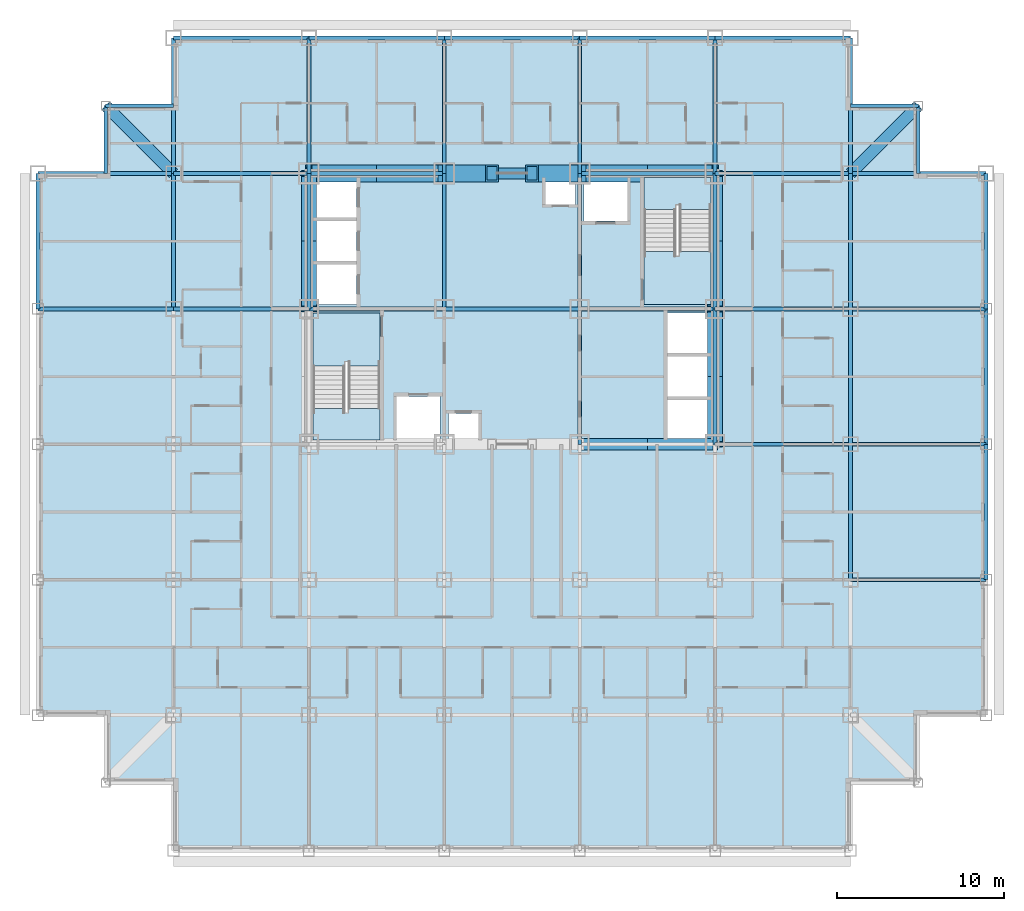
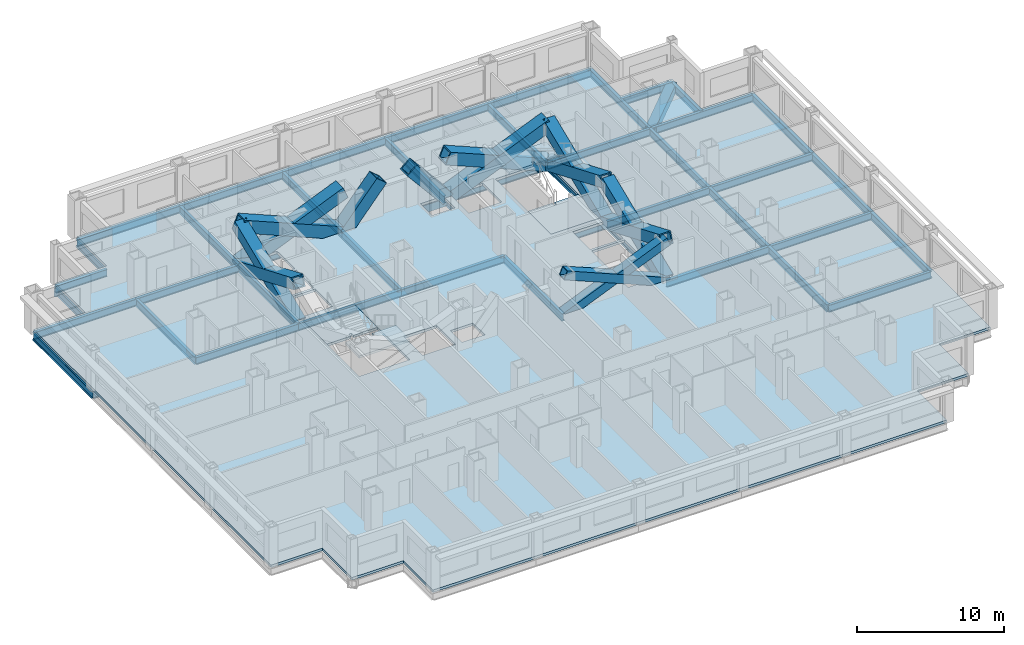
# One storey, part 2 of 11: 48 beams, 14 members, 5 slabs, 2 elements without a shape of their own.
"""IFC4 building model written with IfcOpenShell, lengths in metres."""

from ifc_helpers import new_model, si_unit, direction, frame, origin, origin_2d, place, context, subcontext, project, spatial, polyline, hollow_rectangle, i_section, outline, extrude, material, layer, layer_set, material_profile, profile_set, type_object, element, aggregate, save


model = new_model("IFC4")

# Units and contexts
model_context = context("Model", 3, precision=1e-05, world=origin(), true_north=direction((0.0, 1.0)))
body_context = subcontext(model_context, "Body", "Model", "MODEL_VIEW")
ifc_project = project(units=[si_unit("LENGTHUNIT", "METRE"), si_unit("AREAUNIT", "SQUARE_METRE"), si_unit("VOLUMEUNIT", "CUBIC_METRE"), si_unit("PLANEANGLEUNIT", "RADIAN"), si_unit("MASSUNIT", "GRAM", prefix="KILO")], contexts=[model_context])

# Site, building, storey
site_placement = place(None, origin())
site = spatial("IfcSite", under=ifc_project, at=site_placement, CompositionType="ELEMENT")
building_placement = place(site_placement, origin())
building = spatial("IfcBuilding", under=site, at=building_placement, Name="Kopane Lantern Tower", CompositionType="ELEMENT")
storey_placement = place(building_placement, frame((0.0, 0.0, 60.199951171875)))
storey = spatial("IfcBuildingStorey", under=building, at=storey_placement, Name="L14", CompositionType="ELEMENT", Elevation=60.199951171875)

# Members
ifc_material_1 = material(Name="Steel S355JR", Category="steel")
ifc_material_profile_1 = material_profile(ifc_material_1, hollow_rectangle(XDim=1.0, YDim=1.0, WallThickness=0.10009765625, at=origin_2d()), Name="BOX 1000x1000x100")
ifc_profile_set_1 = profile_set([ifc_material_profile_1], Name="Steel S355JR")
member_type_1 = type_object("IfcMemberType", Name="BRACE BOX 1000x1000x100", PredefinedType="BRACE", material=ifc_profile_set_1)
for number, where, z_axis, x_axis, name in (
    (1, (16.199951171875, 40.5, -0.2099609375), (0.922069000757, 0.0, 0.387025526088), (0.0, 1.0, 0.0), "Core brace L14"),
    (2, (24.300048828125, 40.5, -0.2099609375), (-0.922069000757, 0.0, 0.387025526088), (0.0, -1.0, 0.0), "Core brace L14"),
):
    element("IfcMember", number, at=place(storey_placement, frame(where, z_axis=z_axis, x_axis=x_axis)), inside=storey, type_object=member_type_1, Name=name, PredefinedType="BRACE", context=body_context, shape_type="SweptSolid", body=[
        extrude(hollow_rectangle(XDim=1.0, YDim=1.0, WallThickness=0.10009765625, at=origin_2d()), origin(), (0.0, 0.0, 1.0), 8.78466796875),
    ])
for number, where, z_axis, x_axis, name in (
    (3, (24.300048828125, 40.5, -0.2099609375), (0.642390257445, 0.0, 0.7663776857), (0.0, 1.0, 0.0), "Core brace L14"),
    (4, (32.39990234375, 40.5, -0.2099609375), (-0.642390257445, 0.0, 0.7663776857), (0.0, -1.0, 0.0), "Core brace L14"),
):
    element("IfcMember", number, at=place(storey_placement, frame(where, z_axis=z_axis, x_axis=x_axis)), inside=storey, type_object=member_type_1, Name=name, PredefinedType="BRACE", context=body_context, shape_type="SweptSolid", body=[
        extrude(hollow_rectangle(XDim=1.0, YDim=1.0, WallThickness=0.10009765625, at=origin_2d()), origin(), (0.0, 0.0, 1.0), 4.436279296875),
    ])
for number, where, z_axis, x_axis, name in (
    (5, (32.39990234375, 40.5, -0.2099609375), (0.922069000757, 0.0, 0.387025526088), (0.0, 1.0, 0.0), "Core brace L14"),
    (6, (40.5, 40.5, -0.2099609375), (-0.922069000757, 0.0, 0.387025526088), (0.0, -1.0, 0.0), "Core brace L14"),
):
    element("IfcMember", number, at=place(storey_placement, frame(where, z_axis=z_axis, x_axis=x_axis)), inside=storey, type_object=member_type_1, Name=name, PredefinedType="BRACE", context=body_context, shape_type="SweptSolid", body=[
        extrude(hollow_rectangle(XDim=1.0, YDim=1.0, WallThickness=0.10009765625, at=origin_2d()), origin(), (0.0, 0.0, 1.0), 8.78466796875),
    ])
ifc_material_2 = material(Name="Steel S355JR", Category="steel")
ifc_material_profile_2 = material_profile(ifc_material_2, hollow_rectangle(XDim=0.699951171875, YDim=0.699951171875, WallThickness=0.06005859375, at=origin_2d()), Name="BOX 700x700x60")
ifc_profile_set_2 = profile_set([ifc_material_profile_2], Name="Steel S355JR")
member_type_2 = type_object("IfcMemberType", Name="BRACE BOX 700x700x60", PredefinedType="BRACE", material=ifc_profile_set_2)
for number, where, z_axis, x_axis, name in (
    (7, (32.39990234375, 24.300048828125, -0.2099609375), (0.922069000757, 0.0, 0.387025526088), (0.0, 1.0, 0.0), "Core brace L14"),
    (8, (40.5, 24.300048828125, -0.2099609375), (-0.922069000757, 0.0, 0.387025526088), (0.0, -1.0, 0.0), "Core brace L14"),
):
    element("IfcMember", number, at=place(storey_placement, frame(where, z_axis=z_axis, x_axis=x_axis)), inside=storey, type_object=member_type_2, Name=name, PredefinedType="BRACE", context=body_context, shape_type="SweptSolid", body=[
        extrude(hollow_rectangle(XDim=0.699951171875, YDim=0.699951171875, WallThickness=0.06005859375, at=origin_2d()), origin(), (0.0, 0.0, 1.0), 8.78466796875),
    ])
ifc_material_3 = material(Name="Steel S355JR", Category="steel")
ifc_material_profile_3 = material_profile(ifc_material_3, hollow_rectangle(XDim=0.89990234375, YDim=0.89990234375, WallThickness=0.090087890625, at=origin_2d()), Name="BOX 900x900x90")
ifc_profile_set_3 = profile_set([ifc_material_profile_3], Name="Steel S355JR")
member_type_3 = type_object("IfcMemberType", Name="BRACE BOX 900x900x90", PredefinedType="BRACE", material=ifc_profile_set_3)
for number, where, z_axis, x_axis, name in (
    (9, (16.199951171875, 32.39990234375, -0.2099609375), (0.0, 0.922069000757, 0.387025526088), (-1.0, 0.0, 0.0), "Core brace L14"),
    (10, (16.199951171875, 40.5, -0.2099609375), (0.0, -0.922069000757, 0.387025526088), (1.0, 0.0, 0.0), "Core brace L14"),
):
    element("IfcMember", number, at=place(storey_placement, frame(where, z_axis=z_axis, x_axis=x_axis)), inside=storey, type_object=member_type_3, Name=name, PredefinedType="BRACE", context=body_context, shape_type="SweptSolid", body=[
        extrude(hollow_rectangle(XDim=0.89990234375, YDim=0.89990234375, WallThickness=0.090087890625, at=origin_2d()), origin(), (0.0, 0.0, 1.0), 8.78466796875),
    ])
for number, where, z_axis, x_axis, name in (
    (11, (40.5, 24.300048828125, -0.2099609375), (0.0, 0.922064837731, 0.38703544414), (-1.0, 0.0, 0.0), "Core brace L14"),
    (12, (40.5, 32.39990234375, -0.2099609375), (0.0, -0.922064837731, 0.38703544414), (1.0, 0.0, 0.0), "Core brace L14"),
):
    element("IfcMember", number, at=place(storey_placement, frame(where, z_axis=z_axis, x_axis=x_axis)), inside=storey, type_object=member_type_3, Name=name, PredefinedType="BRACE", context=body_context, shape_type="SweptSolid", body=[
        extrude(hollow_rectangle(XDim=0.89990234375, YDim=0.89990234375, WallThickness=0.090087890625, at=origin_2d()), origin(), (0.0, 0.0, 1.0), 8.784423828125),
    ])
for number, where, z_axis, x_axis, name in (
    (13, (40.5, 32.39990234375, -0.2099609375), (0.0, 0.922069000757, 0.387025526088), (-1.0, 0.0, 0.0), "Core brace L14"),
    (14, (40.5, 40.5, -0.2099609375), (0.0, -0.922069000757, 0.387025526088), (1.0, 0.0, 0.0), "Core brace L14"),
):
    element("IfcMember", number, at=place(storey_placement, frame(where, z_axis=z_axis, x_axis=x_axis)), inside=storey, type_object=member_type_3, Name=name, PredefinedType="BRACE", context=body_context, shape_type="SweptSolid", body=[
        extrude(hollow_rectangle(XDim=0.89990234375, YDim=0.89990234375, WallThickness=0.090087890625, at=origin_2d()), origin(), (0.0, 0.0, 1.0), 8.78466796875),
    ])

# Beams
ifc_material_4 = material(Name="Steel S355JR", Category="steel")
ifc_material_profile_4 = material_profile(ifc_material_4, i_section(OverallWidth=0.22900390625, OverallDepth=0.6123046875, WebThickness=0.011962890625, FlangeThickness=0.01953125, FilletRadius=0.0126953125, at=origin_2d()), Name="UB 610x229x125")
ifc_profile_set_4 = profile_set([ifc_material_profile_4], Name="Steel S355JR")
beam_type_1 = type_object("IfcBeamType", Name="CORE BEAM UB 610x229x125", PredefinedType="BEAM", material=ifc_profile_set_4)
for number, where, z_axis, x_axis, name in (
    (15, (16.199951171875, 32.39990234375, -0.51611328125), (1.0, 0.0, 0.0), (0.0, 1.0, 0.0), "Core Beam L14"),
    (16, (24.300048828125, 32.39990234375, -0.51611328125), (0.0, 1.0, 0.0), (-1.0, 0.0, 0.0), "Core Beam L14"),
):
    element("IfcBeam", number, at=place(storey_placement, frame(where, z_axis=z_axis, x_axis=x_axis)), inside=storey, type_object=beam_type_1, Name=name, PredefinedType="BEAM", context=body_context, shape_type="SweptSolid", body=[
        extrude(i_section(OverallWidth=0.22900390625, OverallDepth=0.6123046875, WebThickness=0.011962890625, FlangeThickness=0.01953125, FilletRadius=0.0126953125, at=origin_2d()), origin(), (0.0, 0.0, 1.0), 8.10009765625),
    ])
for number, where, z_axis, x_axis, name in (
    (17, (24.300048828125, 32.39990234375, -0.51611328125), (1.0, 0.0, 0.0), (0.0, 1.0, 0.0), "Core Beam L14"),
    (18, (32.39990234375, 24.300048828125, -0.51611328125), (0.0, 1.0, 0.0), (-1.0, 0.0, 0.0), "Core Beam L14"),
):
    element("IfcBeam", number, at=place(storey_placement, frame(where, z_axis=z_axis, x_axis=x_axis)), inside=storey, type_object=beam_type_1, Name=name, PredefinedType="BEAM", context=body_context, shape_type="SweptSolid", body=[
        extrude(i_section(OverallWidth=0.22900390625, OverallDepth=0.6123046875, WebThickness=0.011962890625, FlangeThickness=0.01953125, FilletRadius=0.0126953125, at=origin_2d()), origin(), (0.0, 0.0, 1.0), 8.099853515625),
    ])
for number, where, z_axis, x_axis, name in (
    (19, (32.39990234375, 32.39990234375, -0.51611328125), (0.0, 1.0, 0.0), (-1.0, 0.0, 0.0), "Core Beam L14"),
    (20, (32.39990234375, 32.39990234375, -0.51611328125), (1.0, 0.0, 0.0), (0.0, 1.0, 0.0), "Core Beam L14"),
):
    element("IfcBeam", number, at=place(storey_placement, frame(where, z_axis=z_axis, x_axis=x_axis)), inside=storey, type_object=beam_type_1, Name=name, PredefinedType="BEAM", context=body_context, shape_type="SweptSolid", body=[
        extrude(i_section(OverallWidth=0.22900390625, OverallDepth=0.6123046875, WebThickness=0.011962890625, FlangeThickness=0.01953125, FilletRadius=0.0126953125, at=origin_2d()), origin(), (0.0, 0.0, 1.0), 8.10009765625),
    ])
ifc_material_5 = material(Name="Steel S355JR", Category="steel")
ifc_material_profile_5 = material_profile(ifc_material_5, hollow_rectangle(XDim=0.699951171875, YDim=0.699951171875, WallThickness=0.06005859375, at=origin_2d()), Name="BOX 700x700x60")
ifc_profile_set_5 = profile_set([ifc_material_profile_5], Name="Steel S355JR")
beam_type_2 = type_object("IfcBeamType", Name="CORNER TIE BEAM BOX 700x700x60", PredefinedType="BEAM", material=ifc_profile_set_5)
for number, where, z_axis, x_axis, name in (
    (21, (4.050048828125, 44.550048828125, -0.56005859375), (0.707106781187, -0.707106781187, 0.0), (0.707106781187, 0.707106781187, 0.0), "Corner Tie Beam L14"),
    (22, (52.64990234375, 44.550048828125, -0.56005859375), (-0.707085467703, -0.707128094028, 0.0), (0.707128094028, -0.707085467703, 0.0), "Corner Tie Beam L14"),
):
    element("IfcBeam", number, at=place(storey_placement, frame(where, z_axis=z_axis, x_axis=x_axis)), inside=storey, type_object=beam_type_2, Name=name, PredefinedType="BEAM", context=body_context, shape_type="SweptSolid", body=[
        extrude(hollow_rectangle(XDim=0.699951171875, YDim=0.699951171875, WallThickness=0.06005859375, at=origin_2d()), origin(), (0.0, 0.0, 1.0), 5.7275390625),
    ])
ifc_material_6 = material(Name="Steel S355JR", Category="steel")
ifc_material_profile_6 = material_profile(ifc_material_6, i_section(OverallWidth=0.22900390625, OverallDepth=0.6123046875, WebThickness=0.011962890625, FlangeThickness=0.01953125, FilletRadius=0.0126953125, at=origin_2d()), Name="UB 610x229x125")
ifc_profile_set_6 = profile_set([ifc_material_profile_6], Name="Steel S355JR")
beam_type_3 = type_object("IfcBeamType", Name="EDGE BEAM UB 610x229x125", PredefinedType="BEAM", material=ifc_profile_set_6)
for number, where, z_axis, x_axis, name in (
    (23, (4.050048828125, 44.550048828125, -0.51611328125), (0.0, -1.0, 0.0), (1.0, 0.0, 0.0), "Edge Beam L14"),
    (24, (4.050048828125, 44.550048828125, -0.51611328125), (1.0, 0.0, 0.0), (0.0, 1.0, 0.0), "Edge Beam L14"),
):
    element("IfcBeam", number, at=place(storey_placement, frame(where, z_axis=z_axis, x_axis=x_axis)), inside=storey, type_object=beam_type_3, Name=name, PredefinedType="BEAM", context=body_context, shape_type="SweptSolid", body=[
        extrude(i_section(OverallWidth=0.22900390625, OverallDepth=0.6123046875, WebThickness=0.011962890625, FlangeThickness=0.01953125, FilletRadius=0.0126953125, at=origin_2d()), origin(), (0.0, 0.0, 1.0), 4.050048828125),
    ])
beam_1_placement = place(storey_placement, frame((52.64990234375, 44.550048828125, -0.51611328125), z_axis=(-1.0, 0.0, 0.0), x_axis=(0.0, -1.0, 0.0)))
element("IfcBeam", 25, at=beam_1_placement, inside=storey, type_object=beam_type_3, Name="Edge Beam L14", PredefinedType="BEAM", context=body_context, shape_type="SweptSolid", body=[
    extrude(i_section(OverallWidth=0.22900390625, OverallDepth=0.6123046875, WebThickness=0.011962890625, FlangeThickness=0.01953125, FilletRadius=0.0126953125, at=origin_2d()), origin(), (0.0, 0.0, 1.0), 4.0498046875),
])
beam_2_placement = place(storey_placement, frame((52.64990234375, 44.550048828125, -0.51611328125), z_axis=(0.0, -1.0, 0.0), x_axis=(1.0, 0.0, 0.0)))
element("IfcBeam", 26, at=beam_2_placement, inside=storey, type_object=beam_type_3, Name="Edge Beam L14", PredefinedType="BEAM", context=body_context, shape_type="SweptSolid", body=[
    extrude(i_section(OverallWidth=0.22900390625, OverallDepth=0.6123046875, WebThickness=0.011962890625, FlangeThickness=0.01953125, FilletRadius=0.0126953125, at=origin_2d()), origin(), (0.0, 0.0, 1.0), 4.050048828125),
])
ifc_material_7 = material(Name="Steel S355JR", Category="steel")
ifc_material_profile_7 = material_profile(ifc_material_7, i_section(OverallWidth=0.22900390625, OverallDepth=0.6123046875, WebThickness=0.011962890625, FlangeThickness=0.01953125, FilletRadius=0.0126953125, at=origin_2d()), Name="UB 610x229x125")
ifc_profile_set_7 = profile_set([ifc_material_profile_7], Name="Steel S355JR")
beam_type_4 = type_object("IfcBeamType", Name="GIRDER UB 610x229x125", PredefinedType="BEAM", material=ifc_profile_set_7)
for number, where, z_axis, x_axis, name in (
    (27, (0.0, 32.39990234375, -0.51611328125), (0.0, 1.0, 0.0), (-1.0, 0.0, 0.0), "Girder L14"),
    (28, (0.0, 32.39990234375, -0.51611328125), (1.0, 0.0, 0.0), (0.0, 1.0, 0.0), "Girder L14"),
    (29, (0.0, 40.5, -0.51611328125), (1.0, 0.0, 0.0), (0.0, 1.0, 0.0), "Girder L14"),
    (30, (8.10009765625, 32.39990234375, -0.51611328125), (0.0, 1.0, 0.0), (-1.0, 0.0, 0.0), "Girder L14"),
):
    element("IfcBeam", number, at=place(storey_placement, frame(where, z_axis=z_axis, x_axis=x_axis)), inside=storey, type_object=beam_type_4, Name=name, PredefinedType="BEAM", context=body_context, shape_type="SweptSolid", body=[
        extrude(i_section(OverallWidth=0.22900390625, OverallDepth=0.6123046875, WebThickness=0.011962890625, FlangeThickness=0.01953125, FilletRadius=0.0126953125, at=origin_2d()), origin(), (0.0, 0.0, 1.0), 8.10009765625),
    ])
beam_3_placement = place(storey_placement, frame((8.10009765625, 32.39990234375, -0.51611328125), z_axis=(1.0, 0.0, 0.0), x_axis=(0.0, 1.0, 0.0)))
element("IfcBeam", 31, at=beam_3_placement, inside=storey, type_object=beam_type_4, Name="Girder L14", PredefinedType="BEAM", context=body_context, shape_type="SweptSolid", body=[
    extrude(i_section(OverallWidth=0.22900390625, OverallDepth=0.6123046875, WebThickness=0.011962890625, FlangeThickness=0.01953125, FilletRadius=0.0126953125, at=origin_2d()), origin(), (0.0, 0.0, 1.0), 8.099853515625),
])
beam_4_placement = place(storey_placement, frame((8.10009765625, 40.5, -0.51611328125), z_axis=(0.0, 1.0, 0.0), x_axis=(-1.0, 0.0, 0.0)))
element("IfcBeam", 32, at=beam_4_placement, inside=storey, type_object=beam_type_4, Name="Girder L14", PredefinedType="BEAM", context=body_context, shape_type="SweptSolid", body=[
    extrude(i_section(OverallWidth=0.22900390625, OverallDepth=0.6123046875, WebThickness=0.011962890625, FlangeThickness=0.01953125, FilletRadius=0.0126953125, at=origin_2d()), origin(), (0.0, 0.0, 1.0), 8.10009765625),
])
for number, where, z_axis, x_axis, name in (
    (33, (8.10009765625, 40.5, -0.51611328125), (1.0, 0.0, 0.0), (0.0, 1.0, 0.0), "Girder L14"),
    (34, (8.10009765625, 48.60009765625, -0.51611328125), (1.0, 0.0, 0.0), (0.0, 1.0, 0.0), "Girder L14"),
):
    element("IfcBeam", number, at=place(storey_placement, frame(where, z_axis=z_axis, x_axis=x_axis)), inside=storey, type_object=beam_type_4, Name=name, PredefinedType="BEAM", context=body_context, shape_type="SweptSolid", body=[
        extrude(i_section(OverallWidth=0.22900390625, OverallDepth=0.6123046875, WebThickness=0.011962890625, FlangeThickness=0.01953125, FilletRadius=0.0126953125, at=origin_2d()), origin(), (0.0, 0.0, 1.0), 8.099853515625),
    ])
for number, where, z_axis, x_axis, name in (
    (35, (16.199951171875, 32.39990234375, -0.51611328125), (0.0, 1.0, 0.0), (-1.0, 0.0, 0.0), "Girder L14"),
    (36, (16.199951171875, 40.5, -0.51611328125), (0.0, 1.0, 0.0), (-1.0, 0.0, 0.0), "Girder L14"),
    (37, (16.199951171875, 40.5, -0.51611328125), (1.0, 0.0, 0.0), (0.0, 1.0, 0.0), "Girder L14"),
    (38, (16.199951171875, 48.60009765625, -0.51611328125), (1.0, 0.0, 0.0), (0.0, 1.0, 0.0), "Girder L14"),
    (39, (24.300048828125, 40.5, -0.51611328125), (0.0, 1.0, 0.0), (-1.0, 0.0, 0.0), "Girder L14"),
):
    element("IfcBeam", number, at=place(storey_placement, frame(where, z_axis=z_axis, x_axis=x_axis)), inside=storey, type_object=beam_type_4, Name=name, PredefinedType="BEAM", context=body_context, shape_type="SweptSolid", body=[
        extrude(i_section(OverallWidth=0.22900390625, OverallDepth=0.6123046875, WebThickness=0.011962890625, FlangeThickness=0.01953125, FilletRadius=0.0126953125, at=origin_2d()), origin(), (0.0, 0.0, 1.0), 8.10009765625),
    ])
beam_5_placement = place(storey_placement, frame((24.300048828125, 48.60009765625, -0.51611328125), z_axis=(1.0, 0.0, 0.0), x_axis=(0.0, 1.0, 0.0)))
element("IfcBeam", 40, at=beam_5_placement, inside=storey, type_object=beam_type_4, Name="Girder L14", PredefinedType="BEAM", context=body_context, shape_type="SweptSolid", body=[
    extrude(i_section(OverallWidth=0.22900390625, OverallDepth=0.6123046875, WebThickness=0.011962890625, FlangeThickness=0.01953125, FilletRadius=0.0126953125, at=origin_2d()), origin(), (0.0, 0.0, 1.0), 8.099853515625),
])
for number, where, z_axis, x_axis, name in (
    (41, (32.39990234375, 40.5, -0.51611328125), (0.0, 1.0, 0.0), (-1.0, 0.0, 0.0), "Girder L14"),
    (42, (32.39990234375, 40.5, -0.51611328125), (1.0, 0.0, 0.0), (0.0, 1.0, 0.0), "Girder L14"),
    (43, (32.39990234375, 48.60009765625, -0.51611328125), (1.0, 0.0, 0.0), (0.0, 1.0, 0.0), "Girder L14"),
):
    element("IfcBeam", number, at=place(storey_placement, frame(where, z_axis=z_axis, x_axis=x_axis)), inside=storey, type_object=beam_type_4, Name=name, PredefinedType="BEAM", context=body_context, shape_type="SweptSolid", body=[
        extrude(i_section(OverallWidth=0.22900390625, OverallDepth=0.6123046875, WebThickness=0.011962890625, FlangeThickness=0.01953125, FilletRadius=0.0126953125, at=origin_2d()), origin(), (0.0, 0.0, 1.0), 8.10009765625),
    ])
beam_6_placement = place(storey_placement, frame((40.5, 24.300048828125, -0.51611328125), z_axis=(0.0, 1.0, 0.0), x_axis=(-1.0, 0.0, 0.0)))
element("IfcBeam", 44, at=beam_6_placement, inside=storey, type_object=beam_type_4, Name="Girder L14", PredefinedType="BEAM", context=body_context, shape_type="SweptSolid", body=[
    extrude(i_section(OverallWidth=0.22900390625, OverallDepth=0.6123046875, WebThickness=0.011962890625, FlangeThickness=0.01953125, FilletRadius=0.0126953125, at=origin_2d()), origin(), (0.0, 0.0, 1.0), 8.099853515625),
])
for number, where, z_axis, x_axis, name in (
    (45, (40.5, 24.300048828125, -0.51611328125), (1.0, 0.0, 0.0), (0.0, 1.0, 0.0), "Girder L14"),
    (46, (40.5, 32.39990234375, -0.51611328125), (0.0, 1.0, 0.0), (-1.0, 0.0, 0.0), "Girder L14"),
    (47, (40.5, 32.39990234375, -0.51611328125), (1.0, 0.0, 0.0), (0.0, 1.0, 0.0), "Girder L14"),
    (48, (40.5, 40.5, -0.51611328125), (0.0, 1.0, 0.0), (-1.0, 0.0, 0.0), "Girder L14"),
    (49, (40.5, 40.5, -0.51611328125), (1.0, 0.0, 0.0), (0.0, 1.0, 0.0), "Girder L14"),
    (50, (40.5, 48.60009765625, -0.51611328125), (1.0, 0.0, 0.0), (0.0, 1.0, 0.0), "Girder L14"),
    (51, (48.60009765625, 16.199951171875, -0.51611328125), (0.0, 1.0, 0.0), (-1.0, 0.0, 0.0), "Girder L14"),
):
    element("IfcBeam", number, at=place(storey_placement, frame(where, z_axis=z_axis, x_axis=x_axis)), inside=storey, type_object=beam_type_4, Name=name, PredefinedType="BEAM", context=body_context, shape_type="SweptSolid", body=[
        extrude(i_section(OverallWidth=0.22900390625, OverallDepth=0.6123046875, WebThickness=0.011962890625, FlangeThickness=0.01953125, FilletRadius=0.0126953125, at=origin_2d()), origin(), (0.0, 0.0, 1.0), 8.10009765625),
    ])
for number, where, z_axis, x_axis, name in (
    (52, (48.60009765625, 16.199951171875, -0.51611328125), (1.0, 0.0, 0.0), (0.0, 1.0, 0.0), "Girder L14"),
    (53, (48.60009765625, 24.300048828125, -0.51611328125), (0.0, 1.0, 0.0), (-1.0, 0.0, 0.0), "Girder L14"),
    (54, (48.60009765625, 24.300048828125, -0.51611328125), (1.0, 0.0, 0.0), (0.0, 1.0, 0.0), "Girder L14"),
):
    element("IfcBeam", number, at=place(storey_placement, frame(where, z_axis=z_axis, x_axis=x_axis)), inside=storey, type_object=beam_type_4, Name=name, PredefinedType="BEAM", context=body_context, shape_type="SweptSolid", body=[
        extrude(i_section(OverallWidth=0.22900390625, OverallDepth=0.6123046875, WebThickness=0.011962890625, FlangeThickness=0.01953125, FilletRadius=0.0126953125, at=origin_2d()), origin(), (0.0, 0.0, 1.0), 8.099853515625),
    ])
beam_7_placement = place(storey_placement, frame((48.60009765625, 32.39990234375, -0.51611328125), z_axis=(0.0, 1.0, 0.0), x_axis=(-1.0, 0.0, 0.0)))
element("IfcBeam", 55, at=beam_7_placement, inside=storey, type_object=beam_type_4, Name="Girder L14", PredefinedType="BEAM", context=body_context, shape_type="SweptSolid", body=[
    extrude(i_section(OverallWidth=0.22900390625, OverallDepth=0.6123046875, WebThickness=0.011962890625, FlangeThickness=0.01953125, FilletRadius=0.0126953125, at=origin_2d()), origin(), (0.0, 0.0, 1.0), 8.10009765625),
])
beam_8_placement = place(storey_placement, frame((48.60009765625, 32.39990234375, -0.51611328125), z_axis=(1.0, 0.0, 0.0), x_axis=(0.0, 1.0, 0.0)))
element("IfcBeam", 56, at=beam_8_placement, inside=storey, type_object=beam_type_4, Name="Girder L14", PredefinedType="BEAM", context=body_context, shape_type="SweptSolid", body=[
    extrude(i_section(OverallWidth=0.22900390625, OverallDepth=0.6123046875, WebThickness=0.011962890625, FlangeThickness=0.01953125, FilletRadius=0.0126953125, at=origin_2d()), origin(), (0.0, 0.0, 1.0), 8.099853515625),
])
beam_9_placement = place(storey_placement, frame((48.60009765625, 40.5, -0.51611328125), z_axis=(0.0, 1.0, 0.0), x_axis=(-1.0, 0.0, 0.0)))
element("IfcBeam", 57, at=beam_9_placement, inside=storey, type_object=beam_type_4, Name="Girder L14", PredefinedType="BEAM", context=body_context, shape_type="SweptSolid", body=[
    extrude(i_section(OverallWidth=0.22900390625, OverallDepth=0.6123046875, WebThickness=0.011962890625, FlangeThickness=0.01953125, FilletRadius=0.0126953125, at=origin_2d()), origin(), (0.0, 0.0, 1.0), 8.10009765625),
])
beam_10_placement = place(storey_placement, frame((48.60009765625, 40.5, -0.51611328125), z_axis=(1.0, 0.0, 0.0), x_axis=(0.0, 1.0, 0.0)))
element("IfcBeam", 58, at=beam_10_placement, inside=storey, type_object=beam_type_4, Name="Girder L14", PredefinedType="BEAM", context=body_context, shape_type="SweptSolid", body=[
    extrude(i_section(OverallWidth=0.22900390625, OverallDepth=0.6123046875, WebThickness=0.011962890625, FlangeThickness=0.01953125, FilletRadius=0.0126953125, at=origin_2d()), origin(), (0.0, 0.0, 1.0), 8.099853515625),
])
beam_11_placement = place(storey_placement, frame((56.699951171875, 16.199951171875, -0.51611328125), z_axis=(0.0, 1.0, 0.0), x_axis=(-1.0, 0.0, 0.0)))
element("IfcBeam", 59, at=beam_11_placement, inside=storey, type_object=beam_type_4, Name="Girder L14", PredefinedType="BEAM", context=body_context, shape_type="SweptSolid", body=[
    extrude(i_section(OverallWidth=0.22900390625, OverallDepth=0.6123046875, WebThickness=0.011962890625, FlangeThickness=0.01953125, FilletRadius=0.0126953125, at=origin_2d()), origin(), (0.0, 0.0, 1.0), 8.10009765625),
])
beam_12_placement = place(storey_placement, frame((56.699951171875, 24.300048828125, -0.51611328125), z_axis=(0.0, 1.0, 0.0), x_axis=(-1.0, 0.0, 0.0)))
element("IfcBeam", 60, at=beam_12_placement, inside=storey, type_object=beam_type_4, Name="Girder L14", PredefinedType="BEAM", context=body_context, shape_type="SweptSolid", body=[
    extrude(i_section(OverallWidth=0.22900390625, OverallDepth=0.6123046875, WebThickness=0.011962890625, FlangeThickness=0.01953125, FilletRadius=0.0126953125, at=origin_2d()), origin(), (0.0, 0.0, 1.0), 8.099853515625),
])
beam_13_placement = place(storey_placement, frame((56.699951171875, 32.39990234375, -0.51611328125), z_axis=(0.0, 1.0, 0.0), x_axis=(-1.0, 0.0, 0.0)))
element("IfcBeam", 61, at=beam_13_placement, inside=storey, type_object=beam_type_4, Name="Girder L14", PredefinedType="BEAM", context=body_context, shape_type="SweptSolid", body=[
    extrude(i_section(OverallWidth=0.22900390625, OverallDepth=0.6123046875, WebThickness=0.011962890625, FlangeThickness=0.01953125, FilletRadius=0.0126953125, at=origin_2d()), origin(), (0.0, 0.0, 1.0), 8.10009765625),
])
ifc_material_8 = material(Name="Steel S355JR", Category="steel")
ifc_material_profile_8 = material_profile(ifc_material_8, hollow_rectangle(XDim=0.64990234375, YDim=0.64990234375, WallThickness=0.070068359375, at=origin_2d()), Name="BOX 650x650x70")
ifc_profile_set_8 = profile_set([ifc_material_profile_8], Name="Steel S355JR")
beam_type_5 = type_object("IfcBeamType", Name="LINK BEAM BOX 650x650x70", PredefinedType="BEAM", material=ifc_profile_set_8)
beam_14_placement = place(storey_placement, frame((24.300048828125, 40.5, -0.534912109375), z_axis=(1.0, 0.0, 0.0), x_axis=(0.0, 1.0, 0.0)))
element("IfcBeam", 62, at=beam_14_placement, inside=storey, type_object=beam_type_5, Name="Link Beam L14", PredefinedType="BEAM", context=body_context, shape_type="SweptSolid", body=[
    extrude(hollow_rectangle(XDim=0.64990234375, YDim=0.64990234375, WallThickness=0.070068359375, at=origin_2d()), origin(), (0.0, 0.0, 1.0), 8.099853515625),
])

# Slab
ifc_material_9 = material(Name="Concrete C40/50", Category="concrete")
ifc_layer_1 = layer(ifc_material_9, 0.2099609375)
ifc_layer_set_1 = layer_set([ifc_layer_1], Name="SLAB 210 COMPOSITE")
slab_type_1 = type_object("IfcSlabType", Name="SLAB 210 COMPOSITE", PredefinedType="FLOOR", material=ifc_layer_set_1)
slab_1_placement = place(storey_placement, frame((0.0, 0.0, -0.2099609375)))
element("IfcSlab", 63, at=slab_1_placement, inside=storey, type_object=slab_type_1, Name="Floor slab L14", PredefinedType="FLOOR", context=body_context, shape_type="SweptSolid", body=[
    extrude(outline(polyline([(8.10009765625, 0.0), (48.60009765625, 0.0), (48.60009765625, 4.050048828125), (52.64990234375, 4.050048828125), (52.64990234375, 8.10009765625), (56.699951171875, 8.10009765625), (56.699951171875, 40.5), (52.64990234375, 40.5), (52.64990234375, 44.550048828125), (48.60009765625, 44.550048828125), (48.60009765625, 48.60009765625), (8.10009765625, 48.60009765625), (8.10009765625, 44.550048828125), (4.050048828125, 44.550048828125), (4.050048828125, 40.5), (0.0, 40.5), (0.0, 8.10009765625), (4.050048828125, 8.10009765625), (4.050048828125, 4.050048828125), (8.10009765625, 4.050048828125), (8.10009765625, 0.0)]), holes=[polyline([(16.449951171875, 24.550048828125), (20.449951171875, 24.550048828125), (20.449951171875, 32.14990234375), (16.449951171875, 32.14990234375), (16.449951171875, 24.550048828125)]), polyline([(36.25, 32.64990234375), (40.25, 32.64990234375), (40.25, 40.25), (36.25, 40.25), (36.25, 32.64990234375)]), polyline([(16.449951171875, 32.64990234375), (19.050048828125, 32.64990234375), (19.050048828125, 35.050048828125), (16.449951171875, 35.050048828125), (16.449951171875, 32.64990234375)]), polyline([(16.449951171875, 35.25), (19.050048828125, 35.25), (19.050048828125, 37.64990234375), (16.449951171875, 37.64990234375), (16.449951171875, 35.25)]), polyline([(16.449951171875, 37.85009765625), (19.050048828125, 37.85009765625), (19.050048828125, 40.25), (16.449951171875, 40.25), (16.449951171875, 37.85009765625)]), polyline([(37.64990234375, 24.550048828125), (40.25, 24.550048828125), (40.25, 26.949951171875), (37.64990234375, 26.949951171875), (37.64990234375, 24.550048828125)]), polyline([(37.64990234375, 27.14990234375), (40.25, 27.14990234375), (40.25, 29.550048828125), (37.64990234375, 29.550048828125), (37.64990234375, 27.14990234375)]), polyline([(37.64990234375, 29.75), (40.25, 29.75), (40.25, 32.14990234375), (37.64990234375, 32.14990234375), (37.64990234375, 29.75)]), polyline([(21.449951171875, 24.550048828125), (24.050048828125, 24.550048828125), (24.050048828125, 27.14990234375), (21.449951171875, 27.14990234375), (21.449951171875, 24.550048828125)]), polyline([(32.64990234375, 37.64990234375), (35.25, 37.64990234375), (35.25, 40.25), (32.64990234375, 40.25), (32.64990234375, 37.64990234375)]), polyline([(24.550048828125, 24.550048828125), (26.35009765625, 24.550048828125), (26.35009765625, 26.14990234375), (24.550048828125, 26.14990234375), (24.550048828125, 24.550048828125)]), polyline([(30.35009765625, 38.64990234375), (32.14990234375, 38.64990234375), (32.14990234375, 40.25), (30.35009765625, 40.25), (30.35009765625, 38.64990234375)])]), origin(), (0.0, 0.0, 1.0), 0.2099609375),
])

# Stair, slabs
ifc_material_10 = material(Name="Steel S355JR", Category="steel")
stair_type = type_object("IfcStairType", Name="EXIT STAIR 1900 HALF TURN", PredefinedType="HALF_TURN_STAIR", material=ifc_material_10)
stair_1_placement = place(storey_placement, origin())
stair_1 = element("IfcStair", 64, at=stair_1_placement, inside=storey, type_object=stair_type, Name="Exit stair ST1 L14", PredefinedType="HALF_TURN_STAIR")
ifc_material_11 = material(Name="Concrete C40/50", Category="concrete")
ifc_layer_2 = layer(ifc_material_11, 0.199951171875)
ifc_layer_set_2 = layer_set([ifc_layer_2], Name="STAIR LANDING 200")
slab_type_2 = type_object("IfcSlabType", Name="STAIR LANDING 200", PredefinedType="LANDING", material=ifc_layer_set_2)
slab_2_placement = place(storey_placement, frame((0.0, 0.0, -0.199951171875)))
slab_2 = element("IfcSlab", 65, at=slab_2_placement, type_object=slab_type_2, Name="ST1 landing 1", PredefinedType="LANDING", context=body_context, shape_type="SweptSolid", body=[
    extrude(outline(polyline([(18.35009765625, 29.25), (18.550048828125, 29.25), (18.550048828125, 28.969970703125), (20.449951171875, 28.969970703125), (20.449951171875, 32.14990234375), (16.449951171875, 32.14990234375), (16.449951171875, 28.969970703125), (18.35009765625, 28.969970703125), (18.35009765625, 29.25)])), origin(), (0.0, 0.0, 1.0), 0.199951171875),
])
slab_3_placement = place(storey_placement, frame((0.0, 0.0, 1.5)))
slab_3 = element("IfcSlab", 66, at=slab_3_placement, type_object=slab_type_2, Name="ST1 landing 2", PredefinedType="LANDING", context=body_context, shape_type="SweptSolid", body=[
    extrude(outline(polyline([(20.449951171875, 26.449951171875), (18.550048828125, 26.449951171875), (18.550048828125, 26.169921875), (18.35009765625, 26.169921875), (18.35009765625, 26.449951171875), (16.449951171875, 26.449951171875), (16.449951171875, 24.550048828125), (20.449951171875, 24.550048828125), (20.449951171875, 26.449951171875)])), origin(), (0.0, 0.0, 1.0), 0.199951171875),
])
aggregate(stair_1, [slab_2, slab_3])

stair_2_placement = place(storey_placement, origin())
stair_2 = element("IfcStair", 67, at=stair_2_placement, inside=storey, type_object=stair_type, Name="Exit stair ST2 L14", PredefinedType="HALF_TURN_STAIR")
slab_4_placement = place(storey_placement, frame((0.0, 0.0, -0.199951171875)))
slab_4 = element("IfcSlab", 68, at=slab_4_placement, type_object=slab_type_2, Name="ST2 landing 1", PredefinedType="LANDING", context=body_context, shape_type="SweptSolid", body=[
    extrude(outline(polyline([(40.25, 35.830078125), (38.35009765625, 35.830078125), (38.35009765625, 35.550048828125), (38.14990234375, 35.550048828125), (38.14990234375, 35.830078125), (36.25, 35.830078125), (36.25, 32.64990234375), (40.25, 32.64990234375), (40.25, 35.830078125)])), origin(), (0.0, 0.0, 1.0), 0.199951171875),
])
slab_5_placement = place(storey_placement, frame((0.0, 0.0, 1.5)))
slab_5 = element("IfcSlab", 69, at=slab_5_placement, type_object=slab_type_2, Name="ST2 landing 2", PredefinedType="LANDING", context=body_context, shape_type="SweptSolid", body=[
    extrude(outline(polyline([(38.14990234375, 38.6298828125), (38.35009765625, 38.6298828125), (38.35009765625, 38.35009765625), (40.25, 38.35009765625), (40.25, 40.25), (36.25, 40.25), (36.25, 38.35009765625), (38.14990234375, 38.35009765625), (38.14990234375, 38.6298828125)])), origin(), (0.0, 0.0, 1.0), 0.199951171875),
])
aggregate(stair_2, [slab_4, slab_5])

save(model, "model.ifc")
